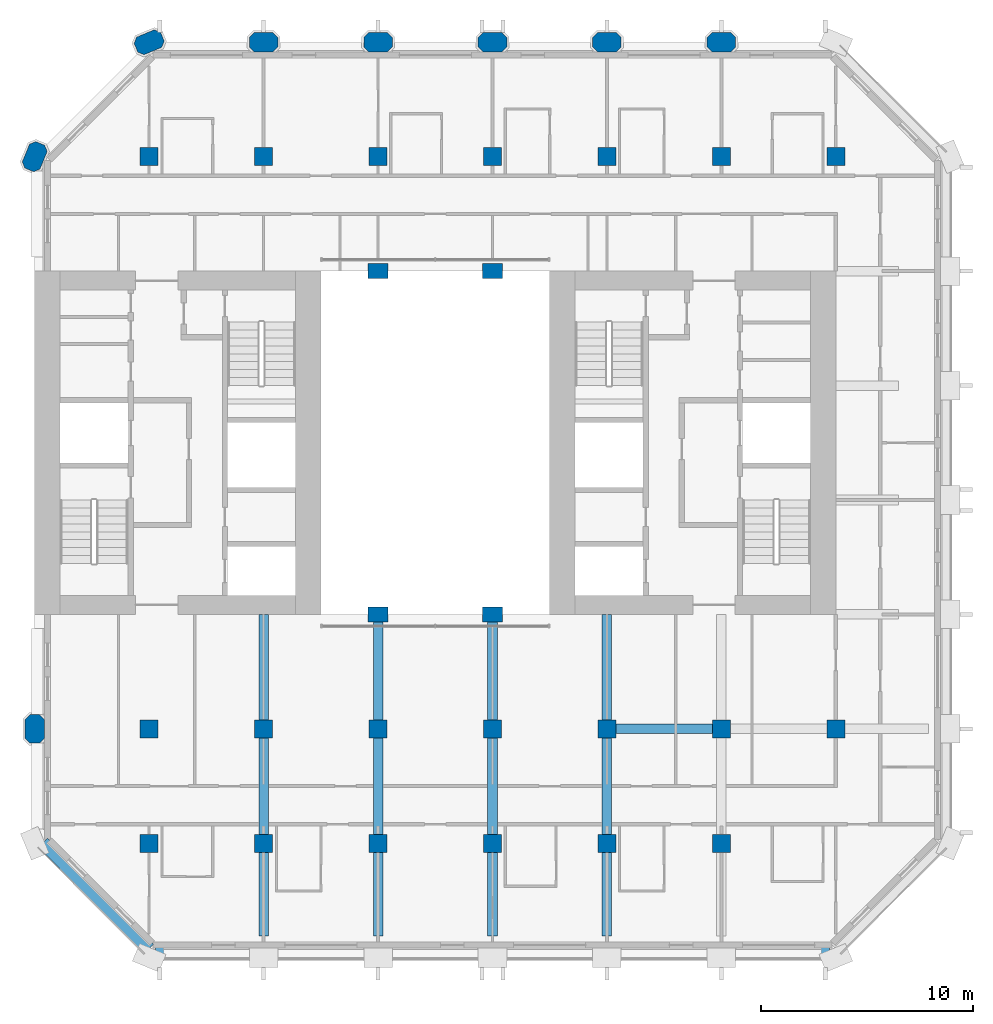
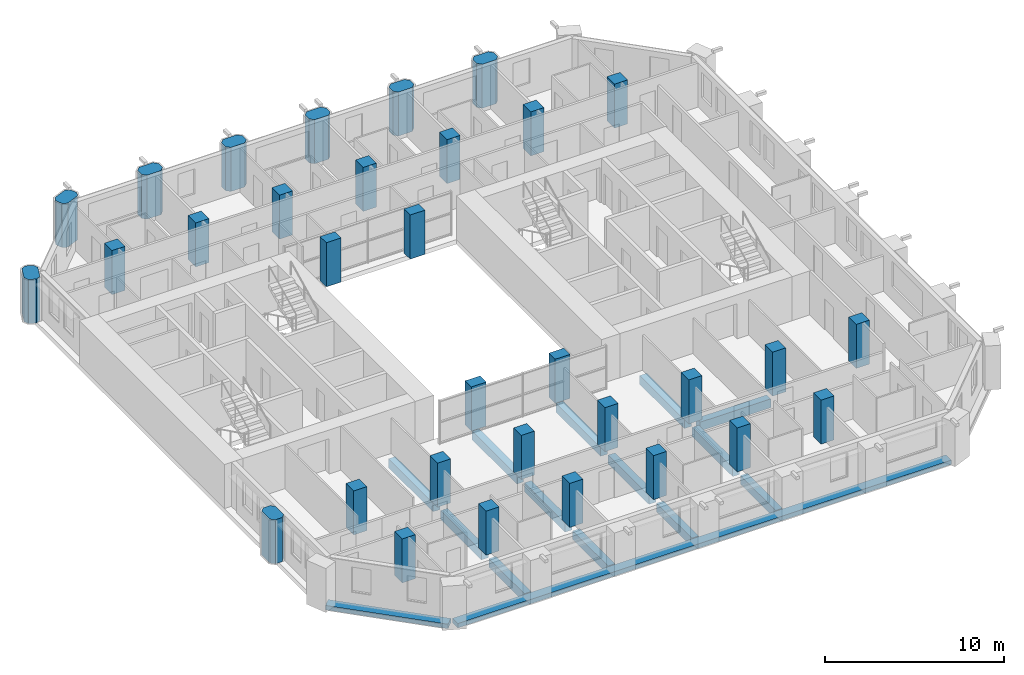
# One storey, part 1 of 13: 32 columns, 15 beams.
"""IFC4 building model written with IfcOpenShell, lengths in metres."""

import ifcopenshell
import ifcopenshell.guid

model = None  # the IFC model being written
_history = None  # IfcOwnerHistory: only IFC2X3 demands one
_inside = {}  # id of a spatial element -> (the spatial element, [elements in it])
_under = {}  # id of a project, library or spatial element -> (it, [spatial elements below it])
_declared = {}  # id of a project -> (the project, [libraries it declares])
_typed = {}  # id of a type object -> (the type object, [elements of that type])
_made_of = {}  # id of a material, layer set ... -> (it, [elements and type objects made of it])


def new_model(schema):
    """Start an empty IFC model of exactly this schema.

    Asked for "IFC4X3", IfcOpenShell would pick the latest addendum, in which some entities
    have other attributes; the version numbers below select the first issue.
    IFC2X3 requires an IfcOwnerHistory on every rooted entity: one is made here for all.
    """
    global model, _history
    if schema == "IFC4X3":
        model = ifcopenshell.file(schema_version=(4, 3, 0, 0))
    else:
        model = ifcopenshell.file(schema=schema)
    _inside.clear()
    _under.clear()
    _declared.clear()
    _typed.clear()
    _made_of.clear()
    _history = None
    if model.schema == "IFC2X3":
        org = make("IfcOrganization", Name="unknown")
        user = make(
            "IfcPersonAndOrganization",
            ThePerson=make("IfcPerson", FamilyName="unknown"),
            TheOrganization=org,
        )
        app = make(
            "IfcApplication",
            ApplicationDeveloper=org,
            Version="unknown",
            ApplicationFullName="unknown",
            ApplicationIdentifier="unknown",
        )
        _history = make(
            "IfcOwnerHistory",
            OwningUser=user,
            OwningApplication=app,
            ChangeAction="ADDED",
            CreationDate=0,
        )
    return model


def make(cls, **values):
    """One entity of the class cls with the attributes given. An attribute that is None is left unset."""
    return model.create_entity(
        cls, **{name: value for name, value in values.items() if value is not None}
    )


def rooted(cls, **values):
    """An entity with a GlobalId (a new one), such as an element, a storey or a relation."""
    return make(cls, GlobalId=ifcopenshell.guid.new(), OwnerHistory=_history, **values)


def si_unit(unit_type, name, prefix=None):
    """IfcSIUnit, for example si_unit("LENGTHUNIT", "METRE", prefix="MILLI")."""
    return make("IfcSIUnit", UnitType=unit_type, Prefix=prefix, Name=name)


def assignment(units):
    """IfcUnitAssignment: the units of a project."""
    return None if units is None else make("IfcUnitAssignment", Units=units)


def point(xyz):
    """IfcCartesianPoint."""
    return None if xyz is None else make("IfcCartesianPoint", Coordinates=xyz)


def direction(xyz):
    """IfcDirection."""
    return None if xyz is None else make("IfcDirection", DirectionRatios=xyz)


def frame(location, z_axis=None, x_axis=None):
    """IfcAxis2Placement3D, a coordinate frame: its origin and axes. An axis left out is left unset."""
    return make(
        "IfcAxis2Placement3D",
        Location=point(location),
        Axis=direction(z_axis),
        RefDirection=direction(x_axis),
    )


def frame_2d(location, x_axis=None):
    """IfcAxis2Placement2D, a coordinate frame in the plane: its origin and x axis."""
    return make(
        "IfcAxis2Placement2D", Location=point(location), RefDirection=direction(x_axis)
    )


def origin():
    """The frame at (0, 0, 0) with its axes left unset."""
    return frame((0.0, 0.0, 0.0))


def origin_2d():
    """The frame at (0, 0) in the plane with its x axis left unset."""
    return frame_2d((0.0, 0.0))


def place(relative_to, where):
    """IfcLocalPlacement: puts the frame where relative to a parent placement (None: the world)."""
    return make(
        "IfcLocalPlacement", PlacementRelTo=relative_to, RelativePlacement=where
    )


def context(
    kind, dimensions, precision=None, world=None, true_north=None, identifier=None
):
    """IfcGeometricRepresentationContext, for example the 3D "Model" context."""
    return make(
        "IfcGeometricRepresentationContext",
        ContextIdentifier=identifier,
        ContextType=kind,
        CoordinateSpaceDimension=dimensions,
        Precision=precision,
        WorldCoordinateSystem=world,
        TrueNorth=true_north,
    )


def subcontext(parent, identifier, kind, view, scale=None):
    """IfcGeometricRepresentationSubContext, for example "Body" below "Model"."""
    return make(
        "IfcGeometricRepresentationSubContext",
        ContextIdentifier=identifier,
        ContextType=kind,
        ParentContext=parent,
        TargetScale=scale,
        TargetView=view,
    )


def project(units=None, contexts=None):
    """IfcProject with its units and contexts."""
    return rooted(
        "IfcProject",
        Name="project",
        RepresentationContexts=contexts,
        UnitsInContext=assignment(units),
    )


def spatial(cls, under=None, at=None, **own):
    """A site, building, storey or space (cls), placed at a placement, below another one or the project."""
    s = rooted(cls, ObjectPlacement=at, **own)
    if under is not None:
        _under.setdefault(under.id(), (under, []))[1].append(s)
    return s


def polyline(points):
    """IfcPolyline through the points."""
    return make("IfcPolyline", Points=[point(p) for p in points])


def profile(cls, at=None, kind="AREA", **sizes):
    """A parametric profile (cls). Its sizes go by their IFC names, for example OverallWidth=200.0."""
    return make(cls, ProfileType=kind, Position=at, **sizes)


def rectangle(**sizes):
    """IfcRectangleProfileDef."""
    return profile("IfcRectangleProfileDef", **sizes)


def outline(outer, holes=None, kind="AREA"):
    """IfcArbitraryClosedProfileDef: a profile drawn as a closed curve; with holes, ...WithVoids."""
    if holes is None:
        return make("IfcArbitraryClosedProfileDef", ProfileType=kind, OuterCurve=outer)
    return make(
        "IfcArbitraryProfileDefWithVoids",
        ProfileType=kind,
        OuterCurve=outer,
        InnerCurves=holes,
    )


def extrude(swept, where, along, depth):
    """IfcExtrudedAreaSolid: the profile swept, set in the frame where, extruded along a direction by depth."""
    return make(
        "IfcExtrudedAreaSolid",
        SweptArea=swept,
        Position=where,
        ExtrudedDirection=direction(along),
        Depth=depth,
    )


def shape(context_of_items, identifier, shape_type, items):
    """IfcShapeRepresentation: the items that make up one representation, for example the "Body"."""
    return make(
        "IfcShapeRepresentation",
        ContextOfItems=context_of_items,
        RepresentationIdentifier=identifier,
        RepresentationType=shape_type,
        Items=items,
    )


def material(Name=None, Category=None):
    """IfcMaterial."""
    return make("IfcMaterial", Name=Name, Category=Category)


def material_profile(
    of_material, cross_section, Name=None, Category=None, Priority=None
):
    """IfcMaterialProfile: a cross section and its material."""
    return make(
        "IfcMaterialProfile",
        Name=Name,
        Material=of_material,
        Profile=cross_section,
        Priority=Priority,
        Category=Category,
    )


def profile_set(profiles, Name=None, composite=None):
    """IfcMaterialProfileSet."""
    return make(
        "IfcMaterialProfileSet",
        Name=Name,
        MaterialProfiles=profiles,
        CompositeProfile=composite,
    )


def made_of(thing, what):
    """Note that an element or type object is made of a material, layer set ...; save() writes the relation."""
    if what is not None:
        _made_of.setdefault(what.id(), (what, []))[1].append(thing)
    return thing


def type_object(cls, material=None, **own):
    """A type object (cls), such as IfcWallType, which elements share."""
    return made_of(rooted(cls, **own), material)


def element(
    cls,
    number,
    at=None,
    inside=None,
    cuts=None,
    type_object=None,
    material=None,
    context=None,
    identifier="Body",
    shape_type=None,
    held_by="IfcProductDefinitionShape",
    body=None,
    shapes=None,
    **own,
):
    """One element of the class cls, such as IfcWall. Its Tag is "e" and its number.

    at: its placement. inside: the storey or other place that contains it. cuts: it is an
    opening in that element (IfcRelVoidsElement). A single representation is given by context,
    identifier, shape_type and body (its items); several are given by shapes. held_by: the class
    of the entity that holds the representations. save() writes the other relations.
    """
    e = rooted(cls, Tag="e%d" % number, ObjectPlacement=at, **own)
    if body is not None:
        shapes = [shape(context, identifier, shape_type, body)]
    if shapes is not None:
        e.Representation = make(held_by, Representations=shapes)
    if inside is not None:
        _inside.setdefault(inside.id(), (inside, []))[1].append(e)
    if cuts is not None:
        rooted(
            "IfcRelVoidsElement", RelatingBuildingElement=cuts, RelatedOpeningElement=e
        )
    if type_object is not None:
        _typed.setdefault(type_object.id(), (type_object, []))[1].append(e)
    return made_of(e, material)


def aggregate(whole, parts):
    """IfcRelAggregates: a whole, such as a stair, and the parts it consists of."""
    return rooted("IfcRelAggregates", RelatingObject=whole, RelatedObjects=parts)


def save(model, path):
    """Write the relations noted so far, then the file.

    IfcRelAggregates (storeys below a building ...), IfcRelContainedInSpatialStructure (elements
    in a storey), IfcRelDefinesByType, IfcRelAssociatesMaterial and IfcRelDeclares: one each for
    every whole, place, type object, material and project.
    """
    for whole, parts in _under.values():
        aggregate(whole, parts)
    for where, things in _inside.values():
        rooted(
            "IfcRelContainedInSpatialStructure",
            RelatedElements=things,
            RelatingStructure=where,
        )
    for kind, things in _typed.values():
        rooted("IfcRelDefinesByType", RelatedObjects=things, RelatingType=kind)
    for what, things in _made_of.values():
        rooted("IfcRelAssociatesMaterial", RelatedObjects=things, RelatingMaterial=what)
    for by, libraries in _declared.values():
        rooted("IfcRelDeclares", RelatingContext=by, RelatedDefinitions=libraries)
    model.write(path)


model = new_model("IFC4")

# Units and contexts
model_context = context("Model", 3, precision=1e-05, world=origin(), true_north=direction((0.0, 1.0)))
body_context = subcontext(model_context, "Body", "Model", "MODEL_VIEW")
ifc_project = project(units=[si_unit("LENGTHUNIT", "METRE"), si_unit("AREAUNIT", "SQUARE_METRE"), si_unit("VOLUMEUNIT", "CUBIC_METRE"), si_unit("PLANEANGLEUNIT", "RADIAN"), si_unit("MASSUNIT", "GRAM", prefix="KILO")], contexts=[model_context])

# Site, building, storey
site_placement = place(None, origin())
site = spatial("IfcSite", under=ifc_project, at=site_placement, CompositionType="ELEMENT")
building_placement = place(site_placement, origin())
building = spatial("IfcBuilding", under=site, at=building_placement, Name="Tabaq Tower and Sports Hall", CompositionType="ELEMENT")
storey_placement = place(building_placement, frame((0.0, 0.0, 162.699951171875)))
storey = spatial("IfcBuildingStorey", under=building, at=storey_placement, Name="L38", CompositionType="ELEMENT", Elevation=162.699951171875)

# Columns
ifc_material_1 = material(Name="Concrete C50/60", Category="concrete")
ifc_material_profile_1 = material_profile(ifc_material_1, rectangle(XDim=0.949951171875, YDim=0.699951171875, at=origin_2d()), Name="ATRIUM COLUMN 950x700")
ifc_profile_set_1 = profile_set([ifc_material_profile_1], Name="Concrete C50/60")
column_type_1 = type_object("IfcColumnType", Name="RC COLUMN ATRIUM COLUMN 950x700 C50/60", PredefinedType="COLUMN", material=ifc_profile_set_1)
for number, where, z_axis, x_axis, name in (
    (1, (21.60009765625, 16.199951171875, 0.0), (0.0, 0.0, 1.0), (1.0, 0.0, 0.0), "Atrium Column 5/D L38"),
    (2, (27.0, 16.199951171875, 0.0), (0.0, 0.0, 1.0), (1.0, 0.0, 0.0), "Atrium Column 6/D L38"),
    (3, (21.60009765625, 32.39990234375, 0.0), (0.0, 0.0, 1.0), (1.0, 0.0, 0.0), "Atrium Column 5/G L38"),
    (4, (27.0, 32.39990234375, 0.0), (0.0, 0.0, 1.0), (1.0, 0.0, 0.0), "Atrium Column 6/G L38"),
):
    element("IfcColumn", number, at=place(storey_placement, frame(where, z_axis=z_axis, x_axis=x_axis)), inside=storey, type_object=column_type_1, Name=name, PredefinedType="COLUMN", context=body_context, shape_type="SweptSolid", body=[
        extrude(rectangle(XDim=0.949951171875, YDim=0.699951171875, at=origin_2d()), origin(), (0.0, 0.0, 1.0), 3.0),
    ])
ifc_material_2 = material(Name="Concrete C50/60", Category="concrete")
ifc_material_profile_2 = material_profile(ifc_material_2, rectangle(XDim=0.85009765625, YDim=0.85009765625, at=origin_2d()), Name="COLUMN 850x850")
ifc_profile_set_2 = profile_set([ifc_material_profile_2], Name="Concrete C50/60")
column_type_2 = type_object("IfcColumnType", Name="RC COLUMN COLUMN 850x850 C50/60", PredefinedType="COLUMN", material=ifc_profile_set_2)
for number, where, z_axis, x_axis, name in (
    (5, (10.800048828125, 5.39990234375, 0.0), (0.0, 0.0, 1.0), (1.0, 0.0, 0.0), "Column 3/B L38"),
    (6, (16.199951171875, 5.39990234375, 0.0), (0.0, 0.0, 1.0), (1.0, 0.0, 0.0), "Column 4/B L38"),
    (7, (21.60009765625, 5.39990234375, 0.0), (0.0, 0.0, 1.0), (1.0, 0.0, 0.0), "Column 5/B L38"),
    (8, (27.0, 5.39990234375, 0.0), (0.0, 0.0, 1.0), (1.0, 0.0, 0.0), "Column 6/B L38"),
    (9, (32.39990234375, 5.39990234375, 0.0), (0.0, 0.0, 1.0), (1.0, 0.0, 0.0), "Column 7/B L38"),
    (10, (37.800048828125, 5.39990234375, 0.0), (0.0, 0.0, 1.0), (1.0, 0.0, 0.0), "Column 8/B L38"),
    (11, (10.800048828125, 10.800048828125, 0.0), (0.0, 0.0, 1.0), (1.0, 0.0, 0.0), "Column 3/C L38"),
    (12, (16.199951171875, 10.800048828125, 0.0), (0.0, 0.0, 1.0), (1.0, 0.0, 0.0), "Column 4/C L38"),
    (13, (21.60009765625, 10.800048828125, 0.0), (0.0, 0.0, 1.0), (1.0, 0.0, 0.0), "Column 5/C L38"),
    (14, (27.0, 10.800048828125, 0.0), (0.0, 0.0, 1.0), (1.0, 0.0, 0.0), "Column 6/C L38"),
    (15, (32.39990234375, 10.800048828125, 0.0), (0.0, 0.0, 1.0), (1.0, 0.0, 0.0), "Column 7/C L38"),
    (16, (37.800048828125, 10.800048828125, 0.0), (0.0, 0.0, 1.0), (1.0, 0.0, 0.0), "Column 8/C L38"),
    (17, (43.199951171875, 10.800048828125, 0.0), (0.0, 0.0, 1.0), (1.0, 0.0, 0.0), "Column 9/C L38"),
    (18, (10.800048828125, 37.800048828125, 0.0), (0.0, 0.0, 1.0), (1.0, 0.0, 0.0), "Column 3/H L38"),
    (19, (16.199951171875, 37.800048828125, 0.0), (0.0, 0.0, 1.0), (1.0, 0.0, 0.0), "Column 4/H L38"),
    (20, (21.60009765625, 37.800048828125, 0.0), (0.0, 0.0, 1.0), (1.0, 0.0, 0.0), "Column 5/H L38"),
    (21, (27.0, 37.800048828125, 0.0), (0.0, 0.0, 1.0), (1.0, 0.0, 0.0), "Column 6/H L38"),
    (22, (32.39990234375, 37.800048828125, 0.0), (0.0, 0.0, 1.0), (1.0, 0.0, 0.0), "Column 7/H L38"),
    (23, (37.800048828125, 37.800048828125, 0.0), (0.0, 0.0, 1.0), (1.0, 0.0, 0.0), "Column 8/H L38"),
    (24, (43.199951171875, 37.800048828125, 0.0), (0.0, 0.0, 1.0), (1.0, 0.0, 0.0), "Column 9/H L38"),
):
    element("IfcColumn", number, at=place(storey_placement, frame(where, z_axis=z_axis, x_axis=x_axis)), inside=storey, type_object=column_type_2, Name=name, PredefinedType="COLUMN", context=body_context, shape_type="SweptSolid", body=[
        extrude(rectangle(XDim=0.85009765625, YDim=0.85009765625, at=origin_2d()), origin(), (0.0, 0.0, 1.0), 3.0),
    ])
ifc_material_3 = material(Name="Concrete C50/60", Category="concrete")
ifc_material_profile_3 = material_profile(ifc_material_3, outline(polyline([(-0.449951171875, -0.449951171875), (0.449951171875, -0.449951171875), (0.675048828125, -0.22509765625), (0.675048828125, 0.22509765625), (0.449951171875, 0.449951171875), (-0.449951171875, 0.449951171875), (-0.675048828125, 0.22509765625), (-0.675048828125, -0.22509765625), (-0.449951171875, -0.449951171875)])), Name="PIER 1350x900")
ifc_profile_set_3 = profile_set([ifc_material_profile_3], Name="Concrete C50/60")
column_type_3 = type_object("IfcColumnType", Name="RC COLUMN PIER 1350x900 C50/60", PredefinedType="COLUMN", material=ifc_profile_set_3)
for number, where, z_axis, x_axis, name in (
    (25, (5.39990234375, 10.800048828125, 0.0), (0.0, 0.0, 1.0), (0.0, 1.0, 0.0), "Pier 2/C L38"),
    (26, (5.39990234375, 37.800048828125, 0.0), (0.0, 0.0, 1.0), (0.382683432365, 0.923879532511, 0.0), "Pier 2/H L38"),
    (27, (10.800048828125, 43.199951171875, 0.0), (0.0, 0.0, 1.0), (0.923879532511, 0.382683432365, 0.0), "Pier 3/I L38"),
    (28, (16.199951171875, 43.199951171875, 0.0), (0.0, 0.0, 1.0), (1.0, 0.0, 0.0), "Pier 4/I L38"),
    (29, (21.60009765625, 43.199951171875, 0.0), (0.0, 0.0, 1.0), (1.0, 0.0, 0.0), "Pier 5/I L38"),
    (30, (27.0, 43.199951171875, 0.0), (0.0, 0.0, 1.0), (1.0, 0.0, 0.0), "Pier 6/I L38"),
    (31, (32.39990234375, 43.199951171875, 0.0), (0.0, 0.0, 1.0), (1.0, 0.0, 0.0), "Pier 7/I L38"),
    (32, (37.800048828125, 43.199951171875, 0.0), (0.0, 0.0, 1.0), (1.0, 0.0, 0.0), "Pier 8/I L38"),
):
    element("IfcColumn", number, at=place(storey_placement, frame(where, z_axis=z_axis, x_axis=x_axis)), inside=storey, type_object=column_type_3, Name=name, PredefinedType="COLUMN", context=body_context, shape_type="SweptSolid", body=[
        extrude(outline(polyline([(-0.449951171875, -0.449951171875), (0.449951171875, -0.449951171875), (0.675048828125, -0.22509765625), (0.675048828125, 0.22509765625), (0.449951171875, 0.449951171875), (-0.449951171875, 0.449951171875), (-0.675048828125, 0.22509765625), (-0.675048828125, -0.22509765625), (-0.449951171875, -0.449951171875)])), origin(), (0.0, 0.0, 1.0), 3.0),
    ])

# Beams
ifc_material_4 = material(Name="Concrete C40/50", Category="concrete")
ifc_material_profile_4 = material_profile(ifc_material_4, rectangle(XDim=0.449951171875, YDim=0.60009765625, at=origin_2d()), Name="CB 450x600")
ifc_profile_set_4 = profile_set([ifc_material_profile_4], Name="Concrete C40/50")
beam_type_1 = type_object("IfcBeamType", Name="PT CANTILEVER BEAM CB 450x600 C40/50", PredefinedType="BEAM", material=ifc_profile_set_4)
beam_1_placement = place(storey_placement, frame((37.375, 10.800048828125, -0.599853515625), z_axis=(-1.0, 0.0, 0.0), x_axis=(0.0, -1.0, 0.0)))
element("IfcBeam", 33, at=beam_1_placement, inside=storey, type_object=beam_type_1, Name="Cantilever Beam L38 E2 span 3", PredefinedType="BEAM", context=body_context, shape_type="SweptSolid", body=[
    extrude(rectangle(XDim=0.449951171875, YDim=0.60009765625, at=origin_2d()), origin(), (0.0, 0.0, 1.0), 4.550048828125),
])
beam_2_placement = place(storey_placement, frame((16.199951171875, 1.02490234375, -0.599853515625), z_axis=(0.0, 1.0, 0.0), x_axis=(-1.0, 0.0, 0.0)))
element("IfcBeam", 34, at=beam_2_placement, inside=storey, type_object=beam_type_1, Name="Cantilever Beam L38 S3 span 1", PredefinedType="BEAM", context=body_context, shape_type="SweptSolid", body=[
    extrude(rectangle(XDim=0.449951171875, YDim=0.60009765625, at=origin_2d()), origin(), (0.0, 0.0, 1.0), 3.9501953125),
])
beam_3_placement = place(storey_placement, frame((16.199951171875, 5.824951171875, -0.599853515625), z_axis=(0.0, 1.0, 0.0), x_axis=(-1.0, 0.0, 0.0)))
element("IfcBeam", 35, at=beam_3_placement, inside=storey, type_object=beam_type_1, Name="Cantilever Beam L38 S3 span 2", PredefinedType="BEAM", context=body_context, shape_type="SweptSolid", body=[
    extrude(rectangle(XDim=0.449951171875, YDim=0.60009765625, at=origin_2d()), origin(), (0.0, 0.0, 1.0), 4.550048828125),
])
beam_4_placement = place(storey_placement, frame((16.199951171875, 11.22509765625, -0.599853515625), z_axis=(0.0, 1.0, 0.0), x_axis=(-1.0, 0.0, 0.0)))
element("IfcBeam", 36, at=beam_4_placement, inside=storey, type_object=beam_type_1, Name="Cantilever Beam L38 S3 span 3", PredefinedType="BEAM", context=body_context, shape_type="SweptSolid", body=[
    extrude(rectangle(XDim=0.449951171875, YDim=0.60009765625, at=origin_2d()), origin(), (0.0, 0.0, 1.0), 4.974853515625),
])
beam_5_placement = place(storey_placement, frame((21.60009765625, 1.02490234375, -0.599853515625), z_axis=(0.0, 1.0, 0.0), x_axis=(-1.0, 0.0, 0.0)))
element("IfcBeam", 37, at=beam_5_placement, inside=storey, type_object=beam_type_1, Name="Cantilever Beam L38 S4 span 1", PredefinedType="BEAM", context=body_context, shape_type="SweptSolid", body=[
    extrude(rectangle(XDim=0.449951171875, YDim=0.60009765625, at=origin_2d()), origin(), (0.0, 0.0, 1.0), 3.9501953125),
])
beam_6_placement = place(storey_placement, frame((21.60009765625, 5.824951171875, -0.599853515625), z_axis=(0.0, 1.0, 0.0), x_axis=(-1.0, 0.0, 0.0)))
element("IfcBeam", 38, at=beam_6_placement, inside=storey, type_object=beam_type_1, Name="Cantilever Beam L38 S4 span 2", PredefinedType="BEAM", context=body_context, shape_type="SweptSolid", body=[
    extrude(rectangle(XDim=0.449951171875, YDim=0.60009765625, at=origin_2d()), origin(), (0.0, 0.0, 1.0), 4.550048828125),
])
beam_7_placement = place(storey_placement, frame((21.60009765625, 11.22509765625, -0.599853515625), z_axis=(0.0, 1.0, 0.0), x_axis=(-1.0, 0.0, 0.0)))
element("IfcBeam", 39, at=beam_7_placement, inside=storey, type_object=beam_type_1, Name="Cantilever Beam L38 S4 span 3", PredefinedType="BEAM", context=body_context, shape_type="SweptSolid", body=[
    extrude(rectangle(XDim=0.449951171875, YDim=0.60009765625, at=origin_2d()), origin(), (0.0, 0.0, 1.0), 4.974853515625),
])
beam_8_placement = place(storey_placement, frame((27.0, 1.02490234375, -0.599853515625), z_axis=(0.0, 1.0, 0.0), x_axis=(-1.0, 0.0, 0.0)))
element("IfcBeam", 40, at=beam_8_placement, inside=storey, type_object=beam_type_1, Name="Cantilever Beam L38 S5 span 1", PredefinedType="BEAM", context=body_context, shape_type="SweptSolid", body=[
    extrude(rectangle(XDim=0.449951171875, YDim=0.60009765625, at=origin_2d()), origin(), (0.0, 0.0, 1.0), 3.9501953125),
])
beam_9_placement = place(storey_placement, frame((27.0, 5.824951171875, -0.599853515625), z_axis=(0.0, 1.0, 0.0), x_axis=(-1.0, 0.0, 0.0)))
element("IfcBeam", 41, at=beam_9_placement, inside=storey, type_object=beam_type_1, Name="Cantilever Beam L38 S5 span 2", PredefinedType="BEAM", context=body_context, shape_type="SweptSolid", body=[
    extrude(rectangle(XDim=0.449951171875, YDim=0.60009765625, at=origin_2d()), origin(), (0.0, 0.0, 1.0), 4.550048828125),
])
beam_10_placement = place(storey_placement, frame((27.0, 11.22509765625, -0.599853515625), z_axis=(0.0, 1.0, 0.0), x_axis=(-1.0, 0.0, 0.0)))
element("IfcBeam", 42, at=beam_10_placement, inside=storey, type_object=beam_type_1, Name="Cantilever Beam L38 S5 span 3", PredefinedType="BEAM", context=body_context, shape_type="SweptSolid", body=[
    extrude(rectangle(XDim=0.449951171875, YDim=0.60009765625, at=origin_2d()), origin(), (0.0, 0.0, 1.0), 4.974853515625),
])
beam_11_placement = place(storey_placement, frame((32.39990234375, 1.02490234375, -0.599853515625), z_axis=(0.0, 1.0, 0.0), x_axis=(-1.0, 0.0, 0.0)))
element("IfcBeam", 43, at=beam_11_placement, inside=storey, type_object=beam_type_1, Name="Cantilever Beam L38 S6 span 1", PredefinedType="BEAM", context=body_context, shape_type="SweptSolid", body=[
    extrude(rectangle(XDim=0.449951171875, YDim=0.60009765625, at=origin_2d()), origin(), (0.0, 0.0, 1.0), 3.9501953125),
])
beam_12_placement = place(storey_placement, frame((32.39990234375, 5.824951171875, -0.599853515625), z_axis=(0.0, 1.0, 0.0), x_axis=(-1.0, 0.0, 0.0)))
element("IfcBeam", 44, at=beam_12_placement, inside=storey, type_object=beam_type_1, Name="Cantilever Beam L38 S6 span 2", PredefinedType="BEAM", context=body_context, shape_type="SweptSolid", body=[
    extrude(rectangle(XDim=0.449951171875, YDim=0.60009765625, at=origin_2d()), origin(), (0.0, 0.0, 1.0), 4.550048828125),
])
beam_13_placement = place(storey_placement, frame((32.39990234375, 11.22509765625, -0.599853515625), z_axis=(0.0, 1.0, 0.0), x_axis=(-1.0, 0.0, 0.0)))
element("IfcBeam", 45, at=beam_13_placement, inside=storey, type_object=beam_type_1, Name="Cantilever Beam L38 S6 span 3", PredefinedType="BEAM", context=body_context, shape_type="SweptSolid", body=[
    extrude(rectangle(XDim=0.449951171875, YDim=0.60009765625, at=origin_2d()), origin(), (0.0, 0.0, 1.0), 4.974853515625),
])
ifc_material_5 = material(Name="Concrete C40/50", Category="concrete")
ifc_material_profile_5 = material_profile(ifc_material_5, rectangle(XDim=0.60009765625, YDim=0.300048828125, at=origin_2d()), Name="EB 600x300")
ifc_profile_set_5 = profile_set([ifc_material_profile_5], Name="Concrete C40/50")
beam_type_2 = type_object("IfcBeamType", Name="PT EDGE BEAM EB 600x300 C40/50", PredefinedType="SPANDREL", material=ifc_profile_set_5)
beam_14_placement = place(storey_placement, frame((11.0986328125, 0.300048828125, -0.14990234375), z_axis=(1.0, 0.0, 0.0), x_axis=(0.0, 1.0, 0.0)))
element("IfcBeam", 46, at=beam_14_placement, inside=storey, type_object=beam_type_2, Name="Edge Beam L38 1", PredefinedType="SPANDREL", context=body_context, shape_type="SweptSolid", body=[
    extrude(rectangle(XDim=0.60009765625, YDim=0.300048828125, at=origin_2d()), origin(), (0.0, 0.0, 1.0), 31.802734375),
])
beam_15_placement = place(storey_placement, frame((5.788818359375, 5.435302734375, -0.14990234375), z_axis=(0.707124002701, -0.707089559252, 0.0), x_axis=(0.707089559252, 0.707124002701, 0.0)))
element("IfcBeam", 47, at=beam_15_placement, inside=storey, type_object=beam_type_2, Name="Edge Beam L38 5", PredefinedType="SPANDREL", context=body_context, shape_type="SweptSolid", body=[
    extrude(rectangle(XDim=0.60009765625, YDim=0.300048828125, at=origin_2d()), origin(), (0.0, 0.0, 1.0), 7.088134765625),
])

save(model, "model.ifc")
